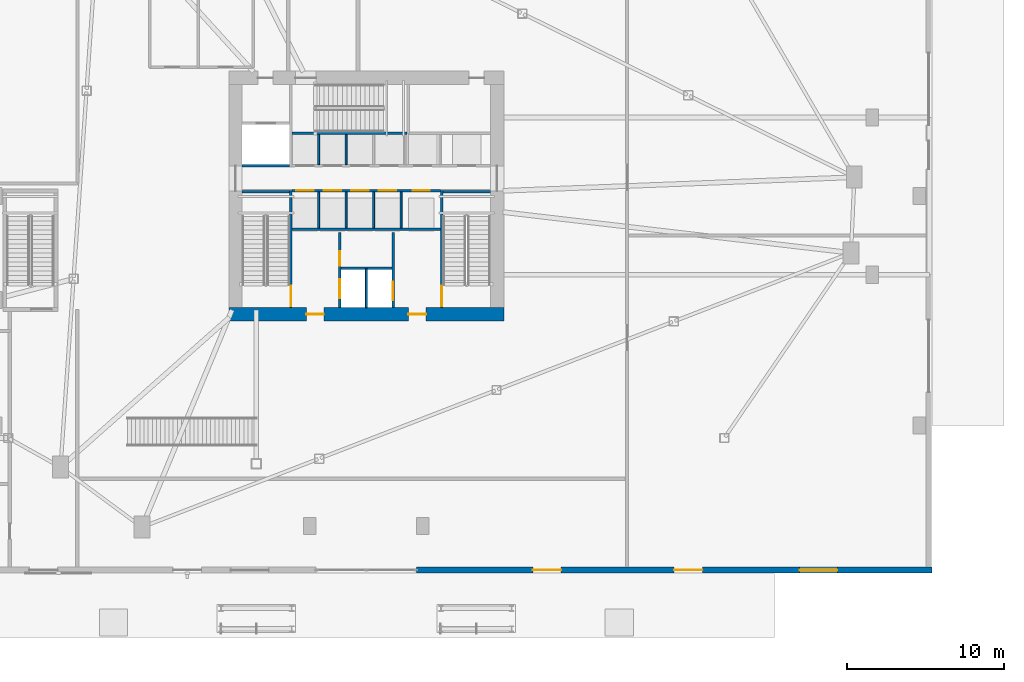
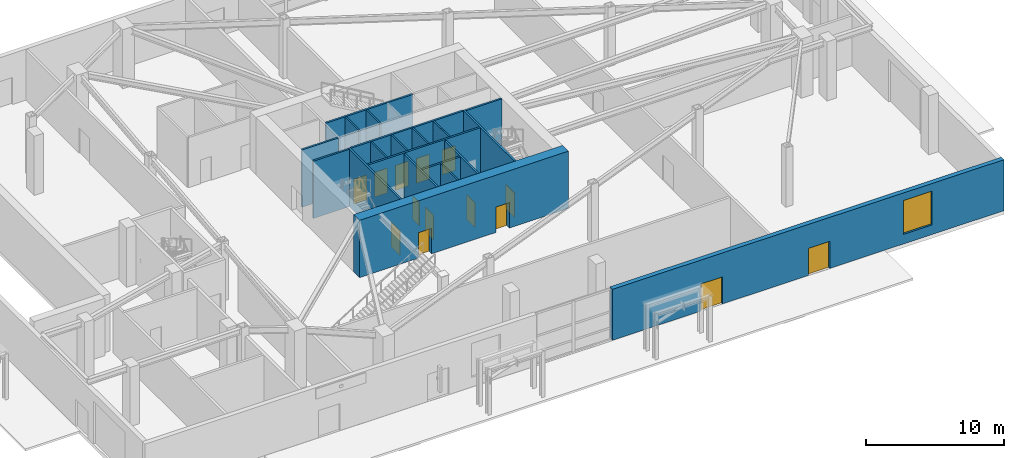
# One storey, part 14 of 22: 20 walls, 14 doors, 1 window, 15 openings.
"""IFC4 building model written with IfcOpenShell, lengths in metres."""

import ifcopenshell
import ifcopenshell.guid

model = None  # the IFC model being written
_history = None  # IfcOwnerHistory: only IFC2X3 demands one
_inside = {}  # id of a spatial element -> (the spatial element, [elements in it])
_under = {}  # id of a project, library or spatial element -> (it, [spatial elements below it])
_declared = {}  # id of a project -> (the project, [libraries it declares])
_typed = {}  # id of a type object -> (the type object, [elements of that type])
_made_of = {}  # id of a material, layer set ... -> (it, [elements and type objects made of it])


def new_model(schema):
    """Start an empty IFC model of exactly this schema.

    Asked for "IFC4X3", IfcOpenShell would pick the latest addendum, in which some entities
    have other attributes; the version numbers below select the first issue.
    IFC2X3 requires an IfcOwnerHistory on every rooted entity: one is made here for all.
    """
    global model, _history
    if schema == "IFC4X3":
        model = ifcopenshell.file(schema_version=(4, 3, 0, 0))
    else:
        model = ifcopenshell.file(schema=schema)
    _inside.clear()
    _under.clear()
    _declared.clear()
    _typed.clear()
    _made_of.clear()
    _history = None
    if model.schema == "IFC2X3":
        org = make("IfcOrganization", Name="unknown")
        user = make(
            "IfcPersonAndOrganization",
            ThePerson=make("IfcPerson", FamilyName="unknown"),
            TheOrganization=org,
        )
        app = make(
            "IfcApplication",
            ApplicationDeveloper=org,
            Version="unknown",
            ApplicationFullName="unknown",
            ApplicationIdentifier="unknown",
        )
        _history = make(
            "IfcOwnerHistory",
            OwningUser=user,
            OwningApplication=app,
            ChangeAction="ADDED",
            CreationDate=0,
        )
    return model


def make(cls, **values):
    """One entity of the class cls with the attributes given. An attribute that is None is left unset."""
    return model.create_entity(
        cls, **{name: value for name, value in values.items() if value is not None}
    )


def rooted(cls, **values):
    """An entity with a GlobalId (a new one), such as an element, a storey or a relation."""
    return make(cls, GlobalId=ifcopenshell.guid.new(), OwnerHistory=_history, **values)


def si_unit(unit_type, name, prefix=None):
    """IfcSIUnit, for example si_unit("LENGTHUNIT", "METRE", prefix="MILLI")."""
    return make("IfcSIUnit", UnitType=unit_type, Prefix=prefix, Name=name)


def assignment(units):
    """IfcUnitAssignment: the units of a project."""
    return None if units is None else make("IfcUnitAssignment", Units=units)


def point(xyz):
    """IfcCartesianPoint."""
    return None if xyz is None else make("IfcCartesianPoint", Coordinates=xyz)


def direction(xyz):
    """IfcDirection."""
    return None if xyz is None else make("IfcDirection", DirectionRatios=xyz)


def frame(location, z_axis=None, x_axis=None):
    """IfcAxis2Placement3D, a coordinate frame: its origin and axes. An axis left out is left unset."""
    return make(
        "IfcAxis2Placement3D",
        Location=point(location),
        Axis=direction(z_axis),
        RefDirection=direction(x_axis),
    )


def frame_2d(location, x_axis=None):
    """IfcAxis2Placement2D, a coordinate frame in the plane: its origin and x axis."""
    return make(
        "IfcAxis2Placement2D", Location=point(location), RefDirection=direction(x_axis)
    )


def origin():
    """The frame at (0, 0, 0) with its axes left unset."""
    return frame((0.0, 0.0, 0.0))


def place(relative_to, where):
    """IfcLocalPlacement: puts the frame where relative to a parent placement (None: the world)."""
    return make(
        "IfcLocalPlacement", PlacementRelTo=relative_to, RelativePlacement=where
    )


def context(
    kind, dimensions, precision=None, world=None, true_north=None, identifier=None
):
    """IfcGeometricRepresentationContext, for example the 3D "Model" context."""
    return make(
        "IfcGeometricRepresentationContext",
        ContextIdentifier=identifier,
        ContextType=kind,
        CoordinateSpaceDimension=dimensions,
        Precision=precision,
        WorldCoordinateSystem=world,
        TrueNorth=true_north,
    )


def subcontext(parent, identifier, kind, view, scale=None):
    """IfcGeometricRepresentationSubContext, for example "Body" below "Model"."""
    return make(
        "IfcGeometricRepresentationSubContext",
        ContextIdentifier=identifier,
        ContextType=kind,
        ParentContext=parent,
        TargetScale=scale,
        TargetView=view,
    )


def project(units=None, contexts=None):
    """IfcProject with its units and contexts."""
    return rooted(
        "IfcProject",
        Name="project",
        RepresentationContexts=contexts,
        UnitsInContext=assignment(units),
    )


def spatial(cls, under=None, at=None, **own):
    """A site, building, storey or space (cls), placed at a placement, below another one or the project."""
    s = rooted(cls, ObjectPlacement=at, **own)
    if under is not None:
        _under.setdefault(under.id(), (under, []))[1].append(s)
    return s


def profile(cls, at=None, kind="AREA", **sizes):
    """A parametric profile (cls). Its sizes go by their IFC names, for example OverallWidth=200.0."""
    return make(cls, ProfileType=kind, Position=at, **sizes)


def rectangle(**sizes):
    """IfcRectangleProfileDef."""
    return profile("IfcRectangleProfileDef", **sizes)


def extrude(swept, where, along, depth):
    """IfcExtrudedAreaSolid: the profile swept, set in the frame where, extruded along a direction by depth."""
    return make(
        "IfcExtrudedAreaSolid",
        SweptArea=swept,
        Position=where,
        ExtrudedDirection=direction(along),
        Depth=depth,
    )


def shape(context_of_items, identifier, shape_type, items):
    """IfcShapeRepresentation: the items that make up one representation, for example the "Body"."""
    return make(
        "IfcShapeRepresentation",
        ContextOfItems=context_of_items,
        RepresentationIdentifier=identifier,
        RepresentationType=shape_type,
        Items=items,
    )


def source(mapping_origin, context_of_items, identifier, shape_type, items):
    """IfcRepresentationMap: a shape defined once, which mapped items show again and again."""
    return make(
        "IfcRepresentationMap",
        MappingOrigin=mapping_origin,
        MappedRepresentation=shape(context_of_items, identifier, shape_type, items),
    )


def transform(
    local_origin,
    x_axis=None,
    y_axis=None,
    z_axis=None,
    scale=None,
    scale2=None,
    scale3=None,
    uniform=True,
):
    """IfcCartesianTransformationOperator3D, or its non-uniform kind. x_axis, y_axis, z_axis: its Axis1, 2, 3."""
    if uniform:
        return make(
            "IfcCartesianTransformationOperator3D",
            Axis1=direction(x_axis),
            Axis2=direction(y_axis),
            LocalOrigin=point(local_origin),
            Scale=scale,
            Axis3=direction(z_axis),
        )
    return make(
        "IfcCartesianTransformationOperator3DnonUniform",
        Axis1=direction(x_axis),
        Axis2=direction(y_axis),
        LocalOrigin=point(local_origin),
        Scale=scale,
        Axis3=direction(z_axis),
        Scale2=scale2,
        Scale3=scale3,
    )


def mapped(mapping_source, mapping_target):
    """IfcMappedItem: shows the shape of a source again, moved by a transform."""
    return make(
        "IfcMappedItem", MappingSource=mapping_source, MappingTarget=mapping_target
    )


def material(Name=None, Category=None):
    """IfcMaterial."""
    return make("IfcMaterial", Name=Name, Category=Category)


def layer(
    of_material, thickness, ventilated=None, Name=None, Category=None, Priority=None
):
    """IfcMaterialLayer: one layer of a wall or slab, of a material (None: an air gap)."""
    return make(
        "IfcMaterialLayer",
        Material=of_material,
        LayerThickness=thickness,
        IsVentilated=ventilated,
        Name=Name,
        Category=Category,
        Priority=Priority,
    )


def layer_set(layers, Name=None):
    """IfcMaterialLayerSet."""
    return make("IfcMaterialLayerSet", MaterialLayers=layers, LayerSetName=Name)


def made_of(thing, what):
    """Note that an element or type object is made of a material, layer set ...; save() writes the relation."""
    if what is not None:
        _made_of.setdefault(what.id(), (what, []))[1].append(thing)
    return thing


def type_object(cls, material=None, **own):
    """A type object (cls), such as IfcWallType, which elements share."""
    return made_of(rooted(cls, **own), material)


def type_shapes(of_type, sources):
    """Give a type object the sources (RepresentationMaps) that its elements show as mapped items."""
    of_type.RepresentationMaps = sources


def element(
    cls,
    number,
    at=None,
    inside=None,
    cuts=None,
    type_object=None,
    material=None,
    context=None,
    identifier="Body",
    shape_type=None,
    held_by="IfcProductDefinitionShape",
    body=None,
    shapes=None,
    **own,
):
    """One element of the class cls, such as IfcWall. Its Tag is "e" and its number.

    at: its placement. inside: the storey or other place that contains it. cuts: it is an
    opening in that element (IfcRelVoidsElement). A single representation is given by context,
    identifier, shape_type and body (its items); several are given by shapes. held_by: the class
    of the entity that holds the representations. save() writes the other relations.
    """
    e = rooted(cls, Tag="e%d" % number, ObjectPlacement=at, **own)
    if body is not None:
        shapes = [shape(context, identifier, shape_type, body)]
    if shapes is not None:
        e.Representation = make(held_by, Representations=shapes)
    if inside is not None:
        _inside.setdefault(inside.id(), (inside, []))[1].append(e)
    if cuts is not None:
        rooted(
            "IfcRelVoidsElement", RelatingBuildingElement=cuts, RelatedOpeningElement=e
        )
    if type_object is not None:
        _typed.setdefault(type_object.id(), (type_object, []))[1].append(e)
    return made_of(e, material)


def fill(opening, filler):
    """IfcRelFillsElement: the door or window that sits in an opening."""
    return rooted(
        "IfcRelFillsElement",
        RelatingOpeningElement=opening,
        RelatedBuildingElement=filler,
    )


def aggregate(whole, parts):
    """IfcRelAggregates: a whole, such as a stair, and the parts it consists of."""
    return rooted("IfcRelAggregates", RelatingObject=whole, RelatedObjects=parts)


def save(model, path):
    """Write the relations noted so far, then the file.

    IfcRelAggregates (storeys below a building ...), IfcRelContainedInSpatialStructure (elements
    in a storey), IfcRelDefinesByType, IfcRelAssociatesMaterial and IfcRelDeclares: one each for
    every whole, place, type object, material and project.
    """
    for whole, parts in _under.values():
        aggregate(whole, parts)
    for where, things in _inside.values():
        rooted(
            "IfcRelContainedInSpatialStructure",
            RelatedElements=things,
            RelatingStructure=where,
        )
    for kind, things in _typed.values():
        rooted("IfcRelDefinesByType", RelatedObjects=things, RelatingType=kind)
    for what, things in _made_of.values():
        rooted("IfcRelAssociatesMaterial", RelatedObjects=things, RelatingMaterial=what)
    for by, libraries in _declared.values():
        rooted("IfcRelDeclares", RelatingContext=by, RelatedDefinitions=libraries)
    model.write(path)


model = new_model("IFC4")

# Units and contexts
model_context = context("Model", 3, precision=1e-05, world=origin(), true_north=direction((0.0, 1.0)))
body_context = subcontext(model_context, "Body", "Model", "MODEL_VIEW")
ifc_project = project(units=[si_unit("LENGTHUNIT", "METRE"), si_unit("AREAUNIT", "SQUARE_METRE"), si_unit("VOLUMEUNIT", "CUBIC_METRE"), si_unit("PLANEANGLEUNIT", "RADIAN"), si_unit("MASSUNIT", "GRAM", prefix="KILO")], contexts=[model_context])

# Site, building, storey
site_placement = place(None, origin())
site = spatial("IfcSite", under=ifc_project, at=site_placement, CompositionType="ELEMENT")
building_placement = place(site_placement, origin())
building = spatial("IfcBuilding", under=site, at=building_placement, Name="Olszyna Solenne Hotel", CompositionType="ELEMENT")
storey_placement = place(building_placement, origin())
storey = spatial("IfcBuildingStorey", under=building, at=storey_placement, Name="L00", CompositionType="ELEMENT", Elevation=0.0)

# Wall, openings, doors
ifc_material_1 = material(Name="Concrete C60/75", Category="concrete")
ifc_layer_1 = layer(ifc_material_1, 0.85009765625, Name="Concrete C60/75")
ifc_layer_set_1 = layer_set([ifc_layer_1], Name="Concrete C60/75")
wall_type_1 = type_object("IfcWallType", Name="WL-CR850", PredefinedType="SHEAR", material=ifc_layer_set_1)
wall_1_placement = place(storey_placement, frame((46.75, 19.074951171875, 0.0), z_axis=(0.0, 0.0, 1.0), x_axis=(-1.0, 0.0, 0.0)))
wall_1 = element("IfcWall", 1, at=wall_1_placement, inside=storey, type_object=wall_type_1, Name="Core shear wall WL-CR850 CRW-L00-S", PredefinedType="SHEAR", context=body_context, shape_type="SweptSolid", body=[
    extrude(rectangle(XDim=17.5, YDim=0.85009765625, at=frame_2d((8.75, 0.0))), origin(), (0.0, 0.0, 1.0), 5.080078125),
])
opening_1_placement = place(wall_1_placement, frame((4.949951171875, 0.0, 0.0)))
opening_1 = element("IfcOpeningElement", 2, at=opening_1_placement, cuts=wall_1, Name="Opening FL-L00-1", PredefinedType="OPENING", context=body_context, shape_type="SweptSolid", body=[
    extrude(rectangle(XDim=1.1201171875, YDim=2.25, at=frame_2d((0.56005859375, 1.125))), frame((0.0, 0.43505859375, 0.0), z_axis=(0.0, -1.0, 0.0), x_axis=(1.0, 0.0, 0.0)), (0.0, 0.0, 1.0), 0.8701171875),
])
opening_2_placement = place(wall_1_placement, frame((11.449951171875, 0.0, 0.0)))
opening_2 = element("IfcOpeningElement", 3, at=opening_2_placement, cuts=wall_1, Name="Opening FL-L00-2", PredefinedType="OPENING", context=body_context, shape_type="SweptSolid", body=[
    extrude(rectangle(XDim=1.1201171875, YDim=2.25, at=frame_2d((0.56005859375, 1.125))), frame((0.0, 0.43505859375, 0.0), z_axis=(0.0, -1.0, 0.0), x_axis=(1.0, 0.0, 0.0)), (0.0, 0.0, 1.0), 0.8701171875),
])
ifc_material_2 = material(Name="Steel S355J2", Category="steel")
door_type_1 = type_object("IfcDoorType", Name="DR-FL1", OperationType="NOTDEFINED", PredefinedType="DOOR", material=ifc_material_2)
shared_shape_1 = source(origin(), body_context, "Body", "SweptSolid", [
    extrude(rectangle(XDim=1.1201171875, YDim=2.25, at=frame_2d((0.56005859375, 1.125))), frame((0.0, 0.02490234375, 0.0), z_axis=(0.0, -1.0, 0.0), x_axis=(1.0, 0.0, 0.0)), (0.0, 0.0, 1.0), 0.050048828125),
])
type_shapes(door_type_1, [shared_shape_1])
door_1_placement = place(opening_1_placement, origin())
door_1 = element("IfcDoor", 4, at=door_1_placement, inside=storey, type_object=door_type_1, Name="Firefighting lift lobby smoke door FL-L00-1", OperationType="SINGLE_SWING_LEFT", OverallHeight=2.25, OverallWidth=1.1201171875, PredefinedType="DOOR", context=body_context, shape_type="MappedRepresentation", body=[
    mapped(shared_shape_1, transform((0.0, 0.0, 0.0), x_axis=(1.0, 0.0, 0.0), y_axis=(0.0, 1.0, 0.0), z_axis=(0.0, 0.0, 1.0), scale=1.0)),
])
fill(opening_1, door_1)
door_2_placement = place(opening_2_placement, origin())
door_2 = element("IfcDoor", 5, at=door_2_placement, inside=storey, type_object=door_type_1, Name="Firefighting lift lobby smoke door FL-L00-2", OperationType="SINGLE_SWING_RIGHT", OverallHeight=2.25, OverallWidth=1.1201171875, PredefinedType="DOOR", context=body_context, shape_type="MappedRepresentation", body=[
    mapped(shared_shape_1, transform((0.0, 0.0, 0.0), x_axis=(1.0, 0.0, 0.0), y_axis=(0.0, 1.0, 0.0), z_axis=(0.0, 0.0, 1.0), scale=1.0)),
])
fill(opening_2, door_2)

# Wall, openings, doors, window
ifc_material_3 = material(Name="Terracotta cladding on precast concrete C45/55", Category="masonry")
ifc_layer_2 = layer(ifc_material_3, 0.3798828125, Name="Terracotta cladding on precast concrete C45/55")
ifc_layer_set_2 = layer_set([ifc_layer_2], Name="Terracotta cladding on precast concrete C45/55")
wall_type_2 = type_object("IfcWallType", Name="WL-EX380", PredefinedType="SOLIDWALL", material=ifc_layer_set_2)
wall_2_placement = place(storey_placement, frame((74.0, 2.7900390625, 0.0), z_axis=(0.0, 0.0, 1.0), x_axis=(-1.0, 0.0, 0.0)))
wall_2 = element("IfcWall", 6, at=wall_2_placement, inside=storey, type_object=wall_type_2, Name="Podium terracotta-precast exterior wall EW-L00-SE", PredefinedType="SOLIDWALL", context=body_context, shape_type="SweptSolid", body=[
    extrude(rectangle(XDim=32.800048828125, YDim=0.3798828125, at=frame_2d((16.39990234375, 0.0))), origin(), (0.0, 0.0, 1.0), 4.52197265625),
])
opening_3_placement = place(wall_2_placement, frame((14.60009765625, 0.0, 0.0)))
opening_3 = element("IfcOpeningElement", 7, at=opening_3_placement, cuts=wall_2, Name="Opening ED-01", PredefinedType="OPENING", context=body_context, shape_type="SweptSolid", body=[
    extrude(rectangle(XDim=1.800048828125, YDim=2.39990234375, at=frame_2d((0.89990234375, 1.199951171875))), frame((0.0, 0.199951171875, 0.0), z_axis=(0.0, -1.0, 0.0), x_axis=(1.0, 0.0, 0.0)), (0.0, 0.0, 1.0), 0.39990234375),
])
opening_4_placement = place(wall_2_placement, frame((23.60009765625, 0.0, 0.0)))
opening_4 = element("IfcOpeningElement", 8, at=opening_4_placement, cuts=wall_2, Name="Opening ED-02", PredefinedType="OPENING", context=body_context, shape_type="SweptSolid", body=[
    extrude(rectangle(XDim=1.800048828125, YDim=2.39990234375, at=frame_2d((0.89990234375, 1.199951171875))), frame((0.0, 0.199951171875, 0.0), z_axis=(0.0, -1.0, 0.0), x_axis=(1.0, 0.0, 0.0)), (0.0, 0.0, 1.0), 0.39990234375),
])
opening_5_placement = place(wall_2_placement, frame((6.01611328125, 0.0, 0.85009765625)))
opening_5 = element("IfcOpeningElement", 9, at=opening_5_placement, cuts=wall_2, Name="Opening WN-L00-001", PredefinedType="OPENING", context=body_context, shape_type="SweptSolid", body=[
    extrude(rectangle(XDim=2.39990234375, YDim=3.0, at=frame_2d((1.199951171875, 1.5))), frame((0.0, 0.199951171875, 0.0), z_axis=(0.0, -1.0, 0.0), x_axis=(1.0, 0.0, 0.0)), (0.0, 0.0, 1.0), 0.39990234375),
])
ifc_material_4 = material(Name="Anodised bronze aluminium", Category="aluminium")
door_type_2 = type_object("IfcDoorType", Name="DR-EX1", OperationType="DOUBLE_DOOR_SINGLE_SWING", PredefinedType="DOOR", material=ifc_material_4)
shared_shape_2 = source(origin(), body_context, "Body", "SweptSolid", [
    extrude(rectangle(XDim=1.800048828125, YDim=2.39990234375, at=frame_2d((0.89990234375, 1.199951171875))), frame((0.0, 0.02490234375, 0.0), z_axis=(0.0, -1.0, 0.0), x_axis=(1.0, 0.0, 0.0)), (0.0, 0.0, 1.0), 0.050048828125),
])
type_shapes(door_type_2, [shared_shape_2])
door_3_placement = place(opening_3_placement, origin())
door_3 = element("IfcDoor", 10, at=door_3_placement, inside=storey, type_object=door_type_2, Name="Pedestrian Exit Door ED-01", OperationType="DOUBLE_DOOR_SINGLE_SWING", OverallHeight=2.39990234375, OverallWidth=1.800048828125, PredefinedType="DOOR", context=body_context, shape_type="MappedRepresentation", body=[
    mapped(shared_shape_2, transform((0.0, 0.0, 0.0), x_axis=(1.0, 0.0, 0.0), y_axis=(0.0, 1.0, 0.0), z_axis=(0.0, 0.0, 1.0), scale=1.0)),
])
fill(opening_3, door_3)
door_4_placement = place(opening_4_placement, origin())
door_4 = element("IfcDoor", 11, at=door_4_placement, inside=storey, type_object=door_type_2, Name="Pedestrian Exit Door ED-02", OperationType="DOUBLE_DOOR_SINGLE_SWING", OverallHeight=2.39990234375, OverallWidth=1.800048828125, PredefinedType="DOOR", context=body_context, shape_type="MappedRepresentation", body=[
    mapped(shared_shape_2, transform((0.0, 0.0, 0.0), x_axis=(1.0, 0.0, 0.0), y_axis=(0.0, 1.0, 0.0), z_axis=(0.0, 0.0, 1.0), scale=1.0)),
])
fill(opening_4, door_4)
ifc_material_5 = material(Name="Low-E triple glazing", Category="glass")
window_type = type_object("IfcWindowType", Name="WN-PD1", PartitioningType="SINGLE_PANEL", PredefinedType="WINDOW", material=ifc_material_5)
shared_shape_3 = source(origin(), body_context, "Body", "SweptSolid", [
    extrude(rectangle(XDim=2.39990234375, YDim=3.0, at=frame_2d((1.199951171875, 1.5))), frame((0.0, 0.030029296875, 0.0), z_axis=(0.0, -1.0, 0.0), x_axis=(1.0, 0.0, 0.0)), (0.0, 0.0, 1.0), 0.06005859375),
])
type_shapes(window_type, [shared_shape_3])
window_placement = place(opening_5_placement, origin())
window = element("IfcWindow", 12, at=window_placement, inside=storey, type_object=window_type, Name="Podium triple-glazed window WN-PD1 WN-L00-001", OverallHeight=3.0, OverallWidth=2.39990234375, PartitioningType="SINGLE_PANEL", PredefinedType="WINDOW", context=body_context, shape_type="MappedRepresentation", body=[
    mapped(shared_shape_3, transform((0.0, 0.0, 0.0), x_axis=(1.0, 0.0, 0.0), y_axis=(0.0, 1.0, 0.0), z_axis=(0.0, 0.0, 1.0), scale=1.0)),
])
fill(opening_5, window)

# Walls
ifc_material_6 = material(Name="Acoustic gypsum partition", Category="gypsum")
ifc_layer_3 = layer(ifc_material_6, 0.125, Name="Acoustic gypsum partition")
ifc_layer_set_3 = layer_set([ifc_layer_3], Name="Acoustic gypsum partition")
wall_type_3 = type_object("IfcWallType", Name="WL-PT125", PredefinedType="PARTITIONING", material=ifc_layer_set_3)
wall_3_placement = place(storey_placement, frame((38.0, 19.5, 0.0), z_axis=(0.0, 0.0, 1.0), x_axis=(0.0, 1.0, 0.0)))
element("IfcWall", 13, at=wall_3_placement, inside=storey, type_object=wall_type_3, Name="Core shaft compartment wall CW-L00-FFM", PredefinedType="PARTITIONING", context=body_context, shape_type="SweptSolid", body=[
    extrude(rectangle(XDim=2.4599609375, YDim=0.125, at=frame_2d((1.22998046875, 0.0))), origin(), (0.0, 0.0, 1.0), 5.080078125),
])
for number, where, z_axis, x_axis, name in (
    (14, (34.965087890625, 24.56005859375, 0.0), (0.0, 0.0, 1.0), (0.0, 1.0, 0.0), "Core shaft compartment wall CW-L00-DIVS349"),
    (15, (36.715087890625, 24.56005859375, 0.0), (0.0, 0.0, 1.0), (0.0, 1.0, 0.0), "Core shaft compartment wall CW-L00-DIVS367"),
    (16, (38.465087890625, 24.56005859375, 0.0), (0.0, 0.0, 1.0), (0.0, 1.0, 0.0), "Core shaft compartment wall CW-L00-DIVS384"),
    (17, (40.215087890625, 24.56005859375, 0.0), (0.0, 0.0, 1.0), (0.0, 1.0, 0.0), "Core shaft compartment wall CW-L00-DIVS402"),
):
    element("IfcWall", number, at=place(storey_placement, frame(where, z_axis=z_axis, x_axis=x_axis)), inside=storey, type_object=wall_type_3, Name=name, PredefinedType="PARTITIONING", context=body_context, shape_type="SweptSolid", body=[
        extrude(rectangle(XDim=2.31005859375, YDim=0.125, at=frame_2d((1.155029296875, 0.0))), origin(), (0.0, 0.0, 1.0), 5.080078125),
    ])
for number, where, z_axis, x_axis, name in (
    (18, (34.965087890625, 28.60009765625, 0.0), (0.0, 0.0, 1.0), (0.0, 1.0, 0.0), "Core shaft compartment wall CW-L00-DIVN349"),
    (19, (36.715087890625, 28.60009765625, 0.0), (0.0, 0.0, 1.0), (0.0, 1.0, 0.0), "Core shaft compartment wall CW-L00-DIVN367"),
):
    element("IfcWall", number, at=place(storey_placement, frame(where, z_axis=z_axis, x_axis=x_axis)), inside=storey, type_object=wall_type_3, Name=name, PredefinedType="PARTITIONING", context=body_context, shape_type="SweptSolid", body=[
        extrude(rectangle(XDim=1.919921875, YDim=0.125, at=frame_2d((0.9599609375, 0.0))), origin(), (0.0, 0.0, 1.0), 5.080078125),
    ])

# Wall, opening, door
ifc_layer_4 = layer(ifc_material_6, 0.159912109375, Name="Acoustic gypsum partition")
ifc_layer_set_4 = layer_set([ifc_layer_4], Name="Acoustic gypsum partition")
wall_type_4 = type_object("IfcWallType", Name="WL-PT160", PredefinedType="PARTITIONING", material=ifc_layer_set_4)
wall_4_placement = place(storey_placement, frame((33.199951171875, 19.5, 0.0), z_axis=(0.0, 0.0, 1.0), x_axis=(0.0, 1.0, 0.0)))
wall_4 = element("IfcWall", 20, at=wall_4_placement, inside=storey, type_object=wall_type_4, Name="Core shaft compartment wall CW-L00-ST1E", PredefinedType="PARTITIONING", context=body_context, shape_type="SweptSolid", body=[
    extrude(rectangle(XDim=7.4599609375, YDim=0.159912109375, at=frame_2d((3.72998046875, 0.0))), origin(), (0.0, 0.0, 1.0), 5.080078125),
])
opening_6_placement = place(wall_4_placement, frame((0.080078125, 0.0, 0.0)))
opening_6 = element("IfcOpeningElement", 21, at=opening_6_placement, cuts=wall_4, Name="Opening STD-L00-01", PredefinedType="OPENING", context=body_context, shape_type="SweptSolid", body=[
    extrude(rectangle(XDim=1.320068359375, YDim=2.199951171875, at=frame_2d((0.66015625, 1.10009765625))), frame((0.0, 0.08984375, 0.0), z_axis=(0.0, -1.0, 0.0), x_axis=(1.0, 0.0, 0.0)), (0.0, 0.0, 1.0), 0.179931640625),
])
door_type_3 = type_object("IfcDoorType", Name="DR-ST1", OperationType="NOTDEFINED", PredefinedType="DOOR", material=ifc_material_2)
shared_shape_4 = source(origin(), body_context, "Body", "SweptSolid", [
    extrude(rectangle(XDim=1.320068359375, YDim=2.199951171875, at=frame_2d((0.66015625, 1.10009765625))), frame((0.0, 0.02490234375, 0.0), z_axis=(0.0, -1.0, 0.0), x_axis=(1.0, 0.0, 0.0)), (0.0, 0.0, 1.0), 0.050048828125),
])
type_shapes(door_type_3, [shared_shape_4])
door_5_placement = place(opening_6_placement, origin())
door_5 = element("IfcDoor", 22, at=door_5_placement, inside=storey, type_object=door_type_3, Name="Pressurised exit stair ST1 fire door STD-L00-01", OperationType="SINGLE_SWING_LEFT", OverallHeight=2.199951171875, OverallWidth=1.320068359375, PredefinedType="DOOR", context=body_context, shape_type="MappedRepresentation", body=[
    mapped(shared_shape_4, transform((0.0, 0.0, 0.0), x_axis=(1.0, 0.0, 0.0), y_axis=(0.0, 1.0, 0.0), z_axis=(0.0, 0.0, 1.0), scale=1.0)),
])
fill(opening_6, door_5)

# Wall
wall_5_placement = place(storey_placement, frame((30.10009765625, 26.8798828125, 0.0), z_axis=(0.0, 0.0, 1.0), x_axis=(1.0, 0.0, 0.0)))
element("IfcWall", 23, at=wall_5_placement, inside=storey, type_object=wall_type_4, Name="Core shaft compartment wall CW-L00-ST1N", PredefinedType="PARTITIONING", context=body_context, shape_type="SweptSolid", body=[
    extrude(rectangle(XDim=3.02001953125, YDim=0.159912109375, at=frame_2d((1.510009765625, 0.0))), origin(), (0.0, 0.0, 1.0), 5.080078125),
])

# Wall, opening, door
wall_6_placement = place(storey_placement, frame((42.800048828125, 26.9599609375, 0.0), z_axis=(0.0, 0.0, 1.0), x_axis=(0.0, -1.0, 0.0)))
wall_6 = element("IfcWall", 24, at=wall_6_placement, inside=storey, type_object=wall_type_4, Name="Core shaft compartment wall CW-L00-ST2W", PredefinedType="PARTITIONING", context=body_context, shape_type="SweptSolid", body=[
    extrude(rectangle(XDim=7.4599609375, YDim=0.159912109375, at=frame_2d((3.72998046875, 0.0))), origin(), (0.0, 0.0, 1.0), 5.080078125),
])
opening_7_placement = place(wall_6_placement, frame((6.06005859375, 0.0, 0.0)))
opening_7 = element("IfcOpeningElement", 25, at=opening_7_placement, cuts=wall_6, Name="Opening STD-L00-02", PredefinedType="OPENING", context=body_context, shape_type="SweptSolid", body=[
    extrude(rectangle(XDim=1.320068359375, YDim=2.199951171875, at=frame_2d((0.66015625, 1.10009765625))), frame((0.0, 0.08984375, 0.0), z_axis=(0.0, -1.0, 0.0), x_axis=(1.0, 0.0, 0.0)), (0.0, 0.0, 1.0), 0.179931640625),
])
door_6_placement = place(opening_7_placement, origin())
door_6 = element("IfcDoor", 26, at=door_6_placement, inside=storey, type_object=door_type_3, Name="Pressurised exit stair ST2 fire door STD-L00-02", OperationType="SINGLE_SWING_RIGHT", OverallHeight=2.199951171875, OverallWidth=1.320068359375, PredefinedType="DOOR", context=body_context, shape_type="MappedRepresentation", body=[
    mapped(shared_shape_4, transform((0.0, 0.0, 0.0), x_axis=(1.0, 0.0, 0.0), y_axis=(0.0, 1.0, 0.0), z_axis=(0.0, 0.0, 1.0), scale=1.0)),
])
fill(opening_7, door_6)

# Walls
wall_7_placement = place(storey_placement, frame((42.8798828125, 26.8798828125, 0.0), z_axis=(0.0, 0.0, 1.0), x_axis=(1.0, 0.0, 0.0)))
element("IfcWall", 27, at=wall_7_placement, inside=storey, type_object=wall_type_4, Name="Core shaft compartment wall CW-L00-ST2N", PredefinedType="PARTITIONING", context=body_context, shape_type="SweptSolid", body=[
    extrude(rectangle(XDim=3.02001953125, YDim=0.159912109375, at=frame_2d((1.510009765625, 0.0))), origin(), (0.0, 0.0, 1.0), 5.080078125),
])
wall_8_placement = place(storey_placement, frame((33.280029296875, 30.60009765625, 0.0), z_axis=(0.0, 0.0, 1.0), x_axis=(1.0, 0.0, 0.0)))
element("IfcWall", 28, at=wall_8_placement, inside=storey, type_object=wall_type_4, Name="Core shaft compartment wall CW-L00-ST3S", PredefinedType="PARTITIONING", context=body_context, shape_type="SweptSolid", body=[
    extrude(rectangle(XDim=7.300048828125, YDim=0.159912109375, at=frame_2d((3.64990234375, 0.0))), origin(), (0.0, 0.0, 1.0), 5.080078125),
])

# Wall, openings, doors
wall_9_placement = place(storey_placement, frame((36.300048828125, 19.5, 0.0), z_axis=(0.0, 0.0, 1.0), x_axis=(0.0, 1.0, 0.0)))
wall_9 = element("IfcWall", 29, at=wall_9_placement, inside=storey, type_object=wall_type_4, Name="Core shaft compartment wall CW-L00-FF1W", PredefinedType="PARTITIONING", context=body_context, shape_type="SweptSolid", body=[
    extrude(rectangle(XDim=4.780029296875, YDim=0.159912109375, at=frame_2d((2.39013671875, 0.0))), origin(), (0.0, 0.0, 1.0), 5.080078125),
])
opening_8_placement = place(wall_9_placement, frame((0.60009765625, 0.0, 0.0)))
opening_8 = element("IfcOpeningElement", 30, at=opening_8_placement, cuts=wall_9, Name="Opening LD-L00-FF1", PredefinedType="OPENING", context=body_context, shape_type="SweptSolid", body=[
    extrude(rectangle(XDim=1.199951171875, YDim=2.199951171875, at=frame_2d((0.60009765625, 1.10009765625))), frame((0.0, 0.08984375, 0.0), z_axis=(0.0, -1.0, 0.0), x_axis=(1.0, 0.0, 0.0)), (0.0, 0.0, 1.0), 0.179931640625),
])
opening_9_placement = place(wall_9_placement, frame((2.64990234375, 0.0, 0.0)))
opening_9 = element("IfcOpeningElement", 31, at=opening_9_placement, cuts=wall_9, Name="Opening SVD-L00-SMK", PredefinedType="OPENING", context=body_context, shape_type="SweptSolid", body=[
    extrude(rectangle(XDim=0.949951171875, YDim=2.10009765625, at=frame_2d((0.47509765625, 1.050048828125))), frame((0.0, 0.08984375, 0.0), z_axis=(0.0, -1.0, 0.0), x_axis=(1.0, 0.0, 0.0)), (0.0, 0.0, 1.0), 0.179931640625),
])
door_type_4 = type_object("IfcDoorType", Name="DR-SV1", OperationType="NOTDEFINED", PredefinedType="DOOR", material=ifc_material_2)
shared_shape_5 = source(origin(), body_context, "Body", "SweptSolid", [
    extrude(rectangle(XDim=0.949951171875, YDim=2.10009765625, at=frame_2d((0.47509765625, 1.050048828125))), frame((0.0, 0.02490234375, 0.0), z_axis=(0.0, -1.0, 0.0), x_axis=(1.0, 0.0, 0.0)), (0.0, 0.0, 1.0), 0.050048828125),
])
type_shapes(door_type_4, [shared_shape_5])
door_7_placement = place(opening_9_placement, origin())
door_7 = element("IfcDoor", 32, at=door_7_placement, inside=storey, type_object=door_type_4, Name="Valet and core service room door SVD-L00-SMK", OperationType="SINGLE_SWING_LEFT", OverallHeight=2.10009765625, OverallWidth=0.949951171875, PredefinedType="DOOR", context=body_context, shape_type="MappedRepresentation", body=[
    mapped(shared_shape_5, transform((0.0, 0.0, 0.0), x_axis=(1.0, 0.0, 0.0), y_axis=(0.0, 1.0, 0.0), z_axis=(0.0, 0.0, 1.0), scale=1.0)),
])
fill(opening_9, door_7)
door_type_5 = type_object("IfcDoorType", Name="LD-FF1", OperationType="DOUBLE_DOOR_SLIDING", PredefinedType="DOOR", material=ifc_material_2)
shared_shape_6 = source(origin(), body_context, "Body", "SweptSolid", [
    extrude(rectangle(XDim=1.199951171875, YDim=2.199951171875, at=frame_2d((0.60009765625, 1.10009765625))), frame((0.0, 0.02490234375, 0.0), z_axis=(0.0, -1.0, 0.0), x_axis=(1.0, 0.0, 0.0)), (0.0, 0.0, 1.0), 0.050048828125),
])
type_shapes(door_type_5, [shared_shape_6])
door_8_placement = place(opening_8_placement, origin())
door_8 = element("IfcDoor", 33, at=door_8_placement, inside=storey, type_object=door_type_5, Name="Firefighters lift FF1 sliding landing door LD-L00-FF1", OperationType="DOUBLE_DOOR_SLIDING", OverallHeight=2.199951171875, OverallWidth=1.199951171875, PredefinedType="DOOR", context=body_context, shape_type="MappedRepresentation", body=[
    mapped(shared_shape_6, transform((0.0, 0.0, 0.0), x_axis=(1.0, 0.0, 0.0), y_axis=(0.0, 1.0, 0.0), z_axis=(0.0, 0.0, 1.0), scale=1.0)),
])
fill(opening_8, door_8)

# Wall, opening, door
wall_10_placement = place(storey_placement, frame((39.699951171875, 24.280029296875, 0.0), z_axis=(0.0, 0.0, 1.0), x_axis=(0.0, -1.0, 0.0)))
wall_10 = element("IfcWall", 34, at=wall_10_placement, inside=storey, type_object=wall_type_4, Name="Core shaft compartment wall CW-L00-FF2E", PredefinedType="PARTITIONING", context=body_context, shape_type="SweptSolid", body=[
    extrude(rectangle(XDim=4.780029296875, YDim=0.159912109375, at=frame_2d((2.39013671875, 0.0))), origin(), (0.0, 0.0, 1.0), 5.080078125),
])
opening_10_placement = place(wall_10_placement, frame((3.1201171875, 0.0, 0.0)))
opening_10 = element("IfcOpeningElement", 35, at=opening_10_placement, cuts=wall_10, Name="Opening LD-L00-FF2", PredefinedType="OPENING", context=body_context, shape_type="SweptSolid", body=[
    extrude(rectangle(XDim=1.199951171875, YDim=2.199951171875, at=frame_2d((0.60009765625, 1.10009765625))), frame((0.0, 0.08984375, 0.0), z_axis=(0.0, -1.0, 0.0), x_axis=(1.0, 0.0, 0.0)), (0.0, 0.0, 1.0), 0.179931640625),
])
door_9_placement = place(opening_10_placement, origin())
door_9 = element("IfcDoor", 36, at=door_9_placement, inside=storey, type_object=door_type_5, Name="Firefighters lift FF2 sliding landing door LD-L00-FF2", OperationType="DOUBLE_DOOR_SLIDING", OverallHeight=2.199951171875, OverallWidth=1.199951171875, PredefinedType="DOOR", context=body_context, shape_type="MappedRepresentation", body=[
    mapped(shared_shape_6, transform((0.0, 0.0, 0.0), x_axis=(1.0, 0.0, 0.0), y_axis=(0.0, 1.0, 0.0), z_axis=(0.0, 0.0, 1.0), scale=1.0)),
])
fill(opening_10, door_9)

# Walls
wall_11_placement = place(storey_placement, frame((36.3798828125, 22.02001953125, 0.0), z_axis=(0.0, 0.0, 1.0), x_axis=(1.0, 0.0, 0.0)))
element("IfcWall", 37, at=wall_11_placement, inside=storey, type_object=wall_type_4, Name="Core shaft compartment wall CW-L00-FFN", PredefinedType="PARTITIONING", context=body_context, shape_type="SweptSolid", body=[
    extrude(rectangle(XDim=3.240234375, YDim=0.159912109375, at=frame_2d((1.6201171875, 0.0))), origin(), (0.0, 0.0, 1.0), 5.080078125),
])
wall_12_placement = place(storey_placement, frame((33.280029296875, 24.489990234375, 0.0), z_axis=(0.0, 0.0, 1.0), x_axis=(1.0, 0.0, 0.0)))
element("IfcWall", 38, at=wall_12_placement, inside=storey, type_object=wall_type_4, Name="Core shaft compartment wall CW-L00-FFBN", PredefinedType="PARTITIONING", context=body_context, shape_type="SweptSolid", body=[
    extrude(rectangle(XDim=9.43994140625, YDim=0.159912109375, at=frame_2d((4.719970703125, 0.0))), origin(), (0.0, 0.0, 1.0), 5.080078125),
])
wall_13_placement = place(storey_placement, frame((30.10009765625, 28.52001953125, 0.0), z_axis=(0.0, 0.0, 1.0), x_axis=(1.0, 0.0, 0.0)))
element("IfcWall", 39, at=wall_13_placement, inside=storey, type_object=wall_type_4, Name="Core shaft compartment wall CW-L00-SV1S", PredefinedType="PARTITIONING", context=body_context, shape_type="SweptSolid", body=[
    extrude(rectangle(XDim=3.02001953125, YDim=0.159912109375, at=frame_2d((1.510009765625, 0.0))), origin(), (0.0, 0.0, 1.0), 5.080078125),
])

# Wall, openings, doors
wall_14_placement = place(storey_placement, frame((33.280029296875, 26.949951171875, 0.0), z_axis=(0.0, 0.0, 1.0), x_axis=(1.0, 0.0, 0.0)))
wall_14 = element("IfcWall", 40, at=wall_14_placement, inside=storey, type_object=wall_type_4, Name="Core shaft compartment wall CW-L00-LRS", PredefinedType="PARTITIONING", context=body_context, shape_type="SweptSolid", body=[
    extrude(rectangle(XDim=9.43994140625, YDim=0.159912109375, at=frame_2d((4.719970703125, 0.0))), origin(), (0.0, 0.0, 1.0), 5.080078125),
])
opening_11_placement = place(wall_14_placement, frame((0.260009765625, 0.0, 0.0)))
opening_11 = element("IfcOpeningElement", 41, at=opening_11_placement, cuts=wall_14, Name="Opening LD-L00-PL1", PredefinedType="OPENING", context=body_context, shape_type="SweptSolid", body=[
    extrude(rectangle(XDim=1.10009765625, YDim=2.199951171875, at=frame_2d((0.550048828125, 1.10009765625))), frame((0.0, 0.08984375, 0.0), z_axis=(0.0, -1.0, 0.0), x_axis=(1.0, 0.0, 0.0)), (0.0, 0.0, 1.0), 0.179931640625),
])
opening_12_placement = place(wall_14_placement, frame((2.010009765625, 0.0, 0.0)))
opening_12 = element("IfcOpeningElement", 42, at=opening_12_placement, cuts=wall_14, Name="Opening LD-L00-PL2", PredefinedType="OPENING", context=body_context, shape_type="SweptSolid", body=[
    extrude(rectangle(XDim=1.10009765625, YDim=2.199951171875, at=frame_2d((0.550048828125, 1.10009765625))), frame((0.0, 0.08984375, 0.0), z_axis=(0.0, -1.0, 0.0), x_axis=(1.0, 0.0, 0.0)), (0.0, 0.0, 1.0), 0.179931640625),
])
opening_13_placement = place(wall_14_placement, frame((3.760009765625, 0.0, 0.0)))
opening_13 = element("IfcOpeningElement", 43, at=opening_13_placement, cuts=wall_14, Name="Opening LD-L00-PL3", PredefinedType="OPENING", context=body_context, shape_type="SweptSolid", body=[
    extrude(rectangle(XDim=1.10009765625, YDim=2.199951171875, at=frame_2d((0.550048828125, 1.10009765625))), frame((0.0, 0.08984375, 0.0), z_axis=(0.0, -1.0, 0.0), x_axis=(1.0, 0.0, 0.0)), (0.0, 0.0, 1.0), 0.179931640625),
])
opening_14_placement = place(wall_14_placement, frame((5.510009765625, 0.0, 0.0)))
opening_14 = element("IfcOpeningElement", 44, at=opening_14_placement, cuts=wall_14, Name="Opening LD-L00-PL4", PredefinedType="OPENING", context=body_context, shape_type="SweptSolid", body=[
    extrude(rectangle(XDim=1.10009765625, YDim=2.199951171875, at=frame_2d((0.550048828125, 1.10009765625))), frame((0.0, 0.08984375, 0.0), z_axis=(0.0, -1.0, 0.0), x_axis=(1.0, 0.0, 0.0)), (0.0, 0.0, 1.0), 0.179931640625),
])
opening_15_placement = place(wall_14_placement, frame((7.669921875, 0.0, 0.0)))
opening_15 = element("IfcOpeningElement", 45, at=opening_15_placement, cuts=wall_14, Name="Opening LD-L00-PL5", PredefinedType="OPENING", context=body_context, shape_type="SweptSolid", body=[
    extrude(rectangle(XDim=1.10009765625, YDim=2.199951171875, at=frame_2d((0.550048828125, 1.10009765625))), frame((0.0, 0.08984375, 0.0), z_axis=(0.0, -1.0, 0.0), x_axis=(1.0, 0.0, 0.0)), (0.0, 0.0, 1.0), 0.179931640625),
])
door_type_6 = type_object("IfcDoorType", Name="LD-P1", OperationType="DOUBLE_DOOR_SLIDING", PredefinedType="DOOR", material=ifc_material_2)
shared_shape_7 = source(origin(), body_context, "Body", "SweptSolid", [
    extrude(rectangle(XDim=1.10009765625, YDim=2.199951171875, at=frame_2d((0.550048828125, 1.10009765625))), frame((0.0, 0.02490234375, 0.0), z_axis=(0.0, -1.0, 0.0), x_axis=(1.0, 0.0, 0.0)), (0.0, 0.0, 1.0), 0.050048828125),
])
type_shapes(door_type_6, [shared_shape_7])
door_10_placement = place(opening_11_placement, origin())
door_10 = element("IfcDoor", 46, at=door_10_placement, inside=storey, type_object=door_type_6, Name="Passenger lift PL1 sliding landing door LD-L00-PL1", OperationType="DOUBLE_DOOR_SLIDING", OverallHeight=2.199951171875, OverallWidth=1.10009765625, PredefinedType="DOOR", context=body_context, shape_type="MappedRepresentation", body=[
    mapped(shared_shape_7, transform((0.0, 0.0, 0.0), x_axis=(1.0, 0.0, 0.0), y_axis=(0.0, 1.0, 0.0), z_axis=(0.0, 0.0, 1.0), scale=1.0)),
])
fill(opening_11, door_10)
door_11_placement = place(opening_12_placement, origin())
door_11 = element("IfcDoor", 47, at=door_11_placement, inside=storey, type_object=door_type_6, Name="Passenger lift PL2 sliding landing door LD-L00-PL2", OperationType="DOUBLE_DOOR_SLIDING", OverallHeight=2.199951171875, OverallWidth=1.10009765625, PredefinedType="DOOR", context=body_context, shape_type="MappedRepresentation", body=[
    mapped(shared_shape_7, transform((0.0, 0.0, 0.0), x_axis=(1.0, 0.0, 0.0), y_axis=(0.0, 1.0, 0.0), z_axis=(0.0, 0.0, 1.0), scale=1.0)),
])
fill(opening_12, door_11)
door_12_placement = place(opening_13_placement, origin())
door_12 = element("IfcDoor", 48, at=door_12_placement, inside=storey, type_object=door_type_6, Name="Passenger lift PL3 sliding landing door LD-L00-PL3", OperationType="DOUBLE_DOOR_SLIDING", OverallHeight=2.199951171875, OverallWidth=1.10009765625, PredefinedType="DOOR", context=body_context, shape_type="MappedRepresentation", body=[
    mapped(shared_shape_7, transform((0.0, 0.0, 0.0), x_axis=(1.0, 0.0, 0.0), y_axis=(0.0, 1.0, 0.0), z_axis=(0.0, 0.0, 1.0), scale=1.0)),
])
fill(opening_13, door_12)
door_13_placement = place(opening_14_placement, origin())
door_13 = element("IfcDoor", 49, at=door_13_placement, inside=storey, type_object=door_type_6, Name="Passenger lift PL4 sliding landing door LD-L00-PL4", OperationType="DOUBLE_DOOR_SLIDING", OverallHeight=2.199951171875, OverallWidth=1.10009765625, PredefinedType="DOOR", context=body_context, shape_type="MappedRepresentation", body=[
    mapped(shared_shape_7, transform((0.0, 0.0, 0.0), x_axis=(1.0, 0.0, 0.0), y_axis=(0.0, 1.0, 0.0), z_axis=(0.0, 0.0, 1.0), scale=1.0)),
])
fill(opening_14, door_13)
door_14_placement = place(opening_15_placement, origin())
door_14 = element("IfcDoor", 50, at=door_14_placement, inside=storey, type_object=door_type_6, Name="Passenger lift PL5 sliding landing door LD-L00-PL5", OperationType="DOUBLE_DOOR_SLIDING", OverallHeight=2.199951171875, OverallWidth=1.10009765625, PredefinedType="DOOR", context=body_context, shape_type="MappedRepresentation", body=[
    mapped(shared_shape_7, transform((0.0, 0.0, 0.0), x_axis=(1.0, 0.0, 0.0), y_axis=(0.0, 1.0, 0.0), z_axis=(0.0, 0.0, 1.0), scale=1.0)),
])
fill(opening_15, door_14)

save(model, "model.ifc")
